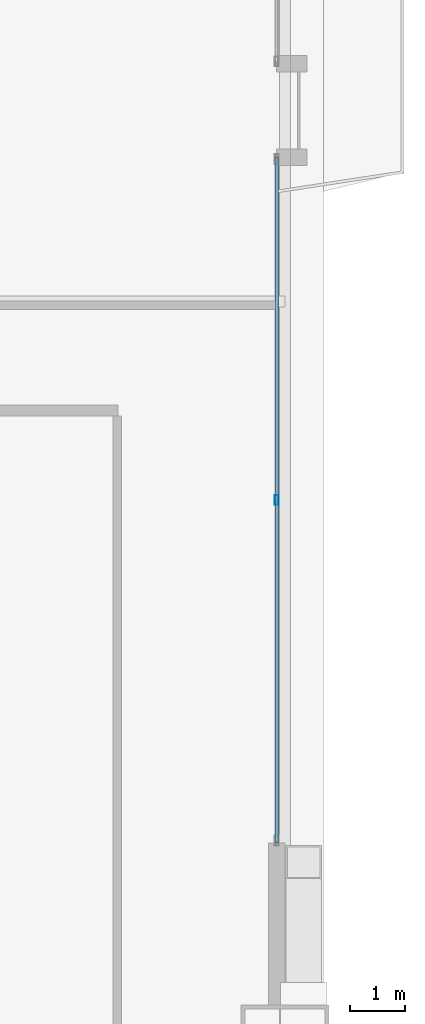
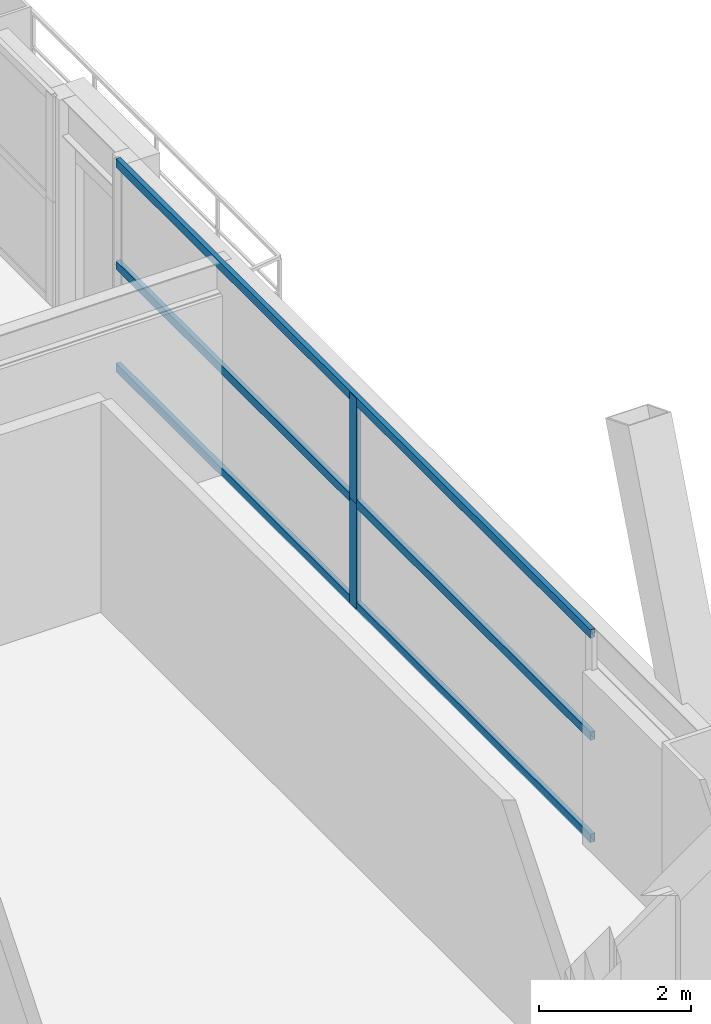
# One storey, part 20 of 43: 5 members, 1 element without a shape of its own.
"""IFC4 building model written with IfcOpenShell, lengths in metres."""

import ifcopenshell
import ifcopenshell.guid

model = None  # the IFC model being written
_history = None  # IfcOwnerHistory: only IFC2X3 demands one
_inside = {}  # id of a spatial element -> (the spatial element, [elements in it])
_under = {}  # id of a project, library or spatial element -> (it, [spatial elements below it])
_declared = {}  # id of a project -> (the project, [libraries it declares])
_typed = {}  # id of a type object -> (the type object, [elements of that type])
_made_of = {}  # id of a material, layer set ... -> (it, [elements and type objects made of it])


def new_model(schema):
    """Start an empty IFC model of exactly this schema.

    Asked for "IFC4X3", IfcOpenShell would pick the latest addendum, in which some entities
    have other attributes; the version numbers below select the first issue.
    IFC2X3 requires an IfcOwnerHistory on every rooted entity: one is made here for all.
    """
    global model, _history
    if schema == "IFC4X3":
        model = ifcopenshell.file(schema_version=(4, 3, 0, 0))
    else:
        model = ifcopenshell.file(schema=schema)
    _inside.clear()
    _under.clear()
    _declared.clear()
    _typed.clear()
    _made_of.clear()
    _history = None
    if model.schema == "IFC2X3":
        org = make("IfcOrganization", Name="unknown")
        user = make(
            "IfcPersonAndOrganization",
            ThePerson=make("IfcPerson", FamilyName="unknown"),
            TheOrganization=org,
        )
        app = make(
            "IfcApplication",
            ApplicationDeveloper=org,
            Version="unknown",
            ApplicationFullName="unknown",
            ApplicationIdentifier="unknown",
        )
        _history = make(
            "IfcOwnerHistory",
            OwningUser=user,
            OwningApplication=app,
            ChangeAction="ADDED",
            CreationDate=0,
        )
    return model


def make(cls, **values):
    """One entity of the class cls with the attributes given. An attribute that is None is left unset."""
    return model.create_entity(
        cls, **{name: value for name, value in values.items() if value is not None}
    )


def rooted(cls, **values):
    """An entity with a GlobalId (a new one), such as an element, a storey or a relation."""
    return make(cls, GlobalId=ifcopenshell.guid.new(), OwnerHistory=_history, **values)


def si_unit(unit_type, name, prefix=None):
    """IfcSIUnit, for example si_unit("LENGTHUNIT", "METRE", prefix="MILLI")."""
    return make("IfcSIUnit", UnitType=unit_type, Prefix=prefix, Name=name)


def assignment(units):
    """IfcUnitAssignment: the units of a project."""
    return None if units is None else make("IfcUnitAssignment", Units=units)


def point(xyz):
    """IfcCartesianPoint."""
    return None if xyz is None else make("IfcCartesianPoint", Coordinates=xyz)


def direction(xyz):
    """IfcDirection."""
    return None if xyz is None else make("IfcDirection", DirectionRatios=xyz)


def frame(location, z_axis=None, x_axis=None):
    """IfcAxis2Placement3D, a coordinate frame: its origin and axes. An axis left out is left unset."""
    return make(
        "IfcAxis2Placement3D",
        Location=point(location),
        Axis=direction(z_axis),
        RefDirection=direction(x_axis),
    )


def frame_2d(location, x_axis=None):
    """IfcAxis2Placement2D, a coordinate frame in the plane: its origin and x axis."""
    return make(
        "IfcAxis2Placement2D", Location=point(location), RefDirection=direction(x_axis)
    )


def origin():
    """The frame at (0, 0, 0) with its axes left unset."""
    return frame((0.0, 0.0, 0.0))


def origin_2d():
    """The frame at (0, 0) in the plane with its x axis left unset."""
    return frame_2d((0.0, 0.0))


def place(relative_to, where):
    """IfcLocalPlacement: puts the frame where relative to a parent placement (None: the world)."""
    return make(
        "IfcLocalPlacement", PlacementRelTo=relative_to, RelativePlacement=where
    )


def context(
    kind, dimensions, precision=None, world=None, true_north=None, identifier=None
):
    """IfcGeometricRepresentationContext, for example the 3D "Model" context."""
    return make(
        "IfcGeometricRepresentationContext",
        ContextIdentifier=identifier,
        ContextType=kind,
        CoordinateSpaceDimension=dimensions,
        Precision=precision,
        WorldCoordinateSystem=world,
        TrueNorth=true_north,
    )


def subcontext(parent, identifier, kind, view, scale=None):
    """IfcGeometricRepresentationSubContext, for example "Body" below "Model"."""
    return make(
        "IfcGeometricRepresentationSubContext",
        ContextIdentifier=identifier,
        ContextType=kind,
        ParentContext=parent,
        TargetScale=scale,
        TargetView=view,
    )


def project(units=None, contexts=None):
    """IfcProject with its units and contexts."""
    return rooted(
        "IfcProject",
        Name="project",
        RepresentationContexts=contexts,
        UnitsInContext=assignment(units),
    )


def spatial(cls, under=None, at=None, **own):
    """A site, building, storey or space (cls), placed at a placement, below another one or the project."""
    s = rooted(cls, ObjectPlacement=at, **own)
    if under is not None:
        _under.setdefault(under.id(), (under, []))[1].append(s)
    return s


def profile(cls, at=None, kind="AREA", **sizes):
    """A parametric profile (cls). Its sizes go by their IFC names, for example OverallWidth=200.0."""
    return make(cls, ProfileType=kind, Position=at, **sizes)


def hollow_rectangle(**sizes):
    """IfcRectangleHollowProfileDef."""
    return profile("IfcRectangleHollowProfileDef", **sizes)


def extrude(swept, where, along, depth):
    """IfcExtrudedAreaSolid: the profile swept, set in the frame where, extruded along a direction by depth."""
    return make(
        "IfcExtrudedAreaSolid",
        SweptArea=swept,
        Position=where,
        ExtrudedDirection=direction(along),
        Depth=depth,
    )


def shape(context_of_items, identifier, shape_type, items):
    """IfcShapeRepresentation: the items that make up one representation, for example the "Body"."""
    return make(
        "IfcShapeRepresentation",
        ContextOfItems=context_of_items,
        RepresentationIdentifier=identifier,
        RepresentationType=shape_type,
        Items=items,
    )


def source(mapping_origin, context_of_items, identifier, shape_type, items):
    """IfcRepresentationMap: a shape defined once, which mapped items show again and again."""
    return make(
        "IfcRepresentationMap",
        MappingOrigin=mapping_origin,
        MappedRepresentation=shape(context_of_items, identifier, shape_type, items),
    )


def transform(
    local_origin,
    x_axis=None,
    y_axis=None,
    z_axis=None,
    scale=None,
    scale2=None,
    scale3=None,
    uniform=True,
):
    """IfcCartesianTransformationOperator3D, or its non-uniform kind. x_axis, y_axis, z_axis: its Axis1, 2, 3."""
    if uniform:
        return make(
            "IfcCartesianTransformationOperator3D",
            Axis1=direction(x_axis),
            Axis2=direction(y_axis),
            LocalOrigin=point(local_origin),
            Scale=scale,
            Axis3=direction(z_axis),
        )
    return make(
        "IfcCartesianTransformationOperator3DnonUniform",
        Axis1=direction(x_axis),
        Axis2=direction(y_axis),
        LocalOrigin=point(local_origin),
        Scale=scale,
        Axis3=direction(z_axis),
        Scale2=scale2,
        Scale3=scale3,
    )


def mapped(mapping_source, mapping_target):
    """IfcMappedItem: shows the shape of a source again, moved by a transform."""
    return make(
        "IfcMappedItem", MappingSource=mapping_source, MappingTarget=mapping_target
    )


def material(Name=None, Category=None):
    """IfcMaterial."""
    return make("IfcMaterial", Name=Name, Category=Category)


def layer(
    of_material, thickness, ventilated=None, Name=None, Category=None, Priority=None
):
    """IfcMaterialLayer: one layer of a wall or slab, of a material (None: an air gap)."""
    return make(
        "IfcMaterialLayer",
        Material=of_material,
        LayerThickness=thickness,
        IsVentilated=ventilated,
        Name=Name,
        Category=Category,
        Priority=Priority,
    )


def layer_set(layers, Name=None):
    """IfcMaterialLayerSet."""
    return make("IfcMaterialLayerSet", MaterialLayers=layers, LayerSetName=Name)


def material_profile(
    of_material, cross_section, Name=None, Category=None, Priority=None
):
    """IfcMaterialProfile: a cross section and its material."""
    return make(
        "IfcMaterialProfile",
        Name=Name,
        Material=of_material,
        Profile=cross_section,
        Priority=Priority,
        Category=Category,
    )


def profile_set(profiles, Name=None, composite=None):
    """IfcMaterialProfileSet."""
    return make(
        "IfcMaterialProfileSet",
        Name=Name,
        MaterialProfiles=profiles,
        CompositeProfile=composite,
    )


def made_of(thing, what):
    """Note that an element or type object is made of a material, layer set ...; save() writes the relation."""
    if what is not None:
        _made_of.setdefault(what.id(), (what, []))[1].append(thing)
    return thing


def type_object(cls, material=None, **own):
    """A type object (cls), such as IfcWallType, which elements share."""
    return made_of(rooted(cls, **own), material)


def element(
    cls,
    number,
    at=None,
    inside=None,
    cuts=None,
    type_object=None,
    material=None,
    context=None,
    identifier="Body",
    shape_type=None,
    held_by="IfcProductDefinitionShape",
    body=None,
    shapes=None,
    **own,
):
    """One element of the class cls, such as IfcWall. Its Tag is "e" and its number.

    at: its placement. inside: the storey or other place that contains it. cuts: it is an
    opening in that element (IfcRelVoidsElement). A single representation is given by context,
    identifier, shape_type and body (its items); several are given by shapes. held_by: the class
    of the entity that holds the representations. save() writes the other relations.
    """
    e = rooted(cls, Tag="e%d" % number, ObjectPlacement=at, **own)
    if body is not None:
        shapes = [shape(context, identifier, shape_type, body)]
    if shapes is not None:
        e.Representation = make(held_by, Representations=shapes)
    if inside is not None:
        _inside.setdefault(inside.id(), (inside, []))[1].append(e)
    if cuts is not None:
        rooted(
            "IfcRelVoidsElement", RelatingBuildingElement=cuts, RelatedOpeningElement=e
        )
    if type_object is not None:
        _typed.setdefault(type_object.id(), (type_object, []))[1].append(e)
    return made_of(e, material)


def aggregate(whole, parts):
    """IfcRelAggregates: a whole, such as a stair, and the parts it consists of."""
    return rooted("IfcRelAggregates", RelatingObject=whole, RelatedObjects=parts)


def save(model, path):
    """Write the relations noted so far, then the file.

    IfcRelAggregates (storeys below a building ...), IfcRelContainedInSpatialStructure (elements
    in a storey), IfcRelDefinesByType, IfcRelAssociatesMaterial and IfcRelDeclares: one each for
    every whole, place, type object, material and project.
    """
    for whole, parts in _under.values():
        aggregate(whole, parts)
    for where, things in _inside.values():
        rooted(
            "IfcRelContainedInSpatialStructure",
            RelatedElements=things,
            RelatingStructure=where,
        )
    for kind, things in _typed.values():
        rooted("IfcRelDefinesByType", RelatedObjects=things, RelatingType=kind)
    for what, things in _made_of.values():
        rooted("IfcRelAssociatesMaterial", RelatedObjects=things, RelatingMaterial=what)
    for by, libraries in _declared.values():
        rooted("IfcRelDeclares", RelatingContext=by, RelatedDefinitions=libraries)
    model.write(path)


model = new_model("IFC4")

# Units and contexts
model_context = context("Model", 3, precision=1e-05, world=origin(), true_north=direction((0.0, 1.0)))
body_context = subcontext(model_context, "Body", "Model", "MODEL_VIEW")
ifc_project = project(units=[si_unit("LENGTHUNIT", "METRE"), si_unit("AREAUNIT", "SQUARE_METRE"), si_unit("VOLUMEUNIT", "CUBIC_METRE"), si_unit("PLANEANGLEUNIT", "RADIAN"), si_unit("MASSUNIT", "GRAM", prefix="KILO"), si_unit("THERMODYNAMICTEMPERATUREUNIT", "KELVIN"), si_unit("POWERUNIT", "WATT")], contexts=[model_context])

# Site, building, storey
site_placement = place(None, origin())
site = spatial("IfcSite", under=ifc_project, at=site_placement, CompositionType="ELEMENT")
building_placement = place(site_placement, origin())
building = spatial("IfcBuilding", under=site, at=building_placement, Name="Yuzanri Waterfront Tower", CompositionType="ELEMENT")
storey_placement = place(building_placement, frame((0.0, 0.0, 159.60009765625)))
storey = spatial("IfcBuildingStorey", under=building, at=storey_placement, Name="L42", CompositionType="ELEMENT", Elevation=159.60009765625)

# Curtain wall, members
ifc_material_1 = material(Name="Anodized Architectural Bronze", Category="metal")
ifc_layer = layer(ifc_material_1, 0.159912109375)
ifc_layer_set = layer_set([ifc_layer], Name="Anodized Architectural Bronze")
curtain_wall_type = type_object("IfcCurtainWallType", Name="Anodized Bronze Hotel Upper-Tier Solar-Control Unitized Curtain Wall 7800", PredefinedType="NOTDEFINED", material=ifc_layer_set)
curtain_wall_placement = place(storey_placement, origin())
curtain_wall = element("IfcCurtainWall", 1, at=curtain_wall_placement, inside=storey, type_object=curtain_wall_type, Name="L42 Curtain Wall CW-L42-EL1", PredefinedType="NOTDEFINED")
ifc_material_2 = material(Name="Anodized Architectural Bronze", Category="metal")
ifc_material_profile_1 = material_profile(ifc_material_2, hollow_rectangle(XDim=0.070068359375, YDim=0.179931640625, WallThickness=0.00390625, at=origin_2d()), Name="CWM 70x180")
ifc_profile_set_1 = profile_set([ifc_material_profile_1], Name="Anodized Architectural Bronze")
member_type_1 = type_object("IfcMemberType", Name="Anodized Bronze Standard Curtain-Wall Mullion 70x180", PredefinedType="MULLION", material=ifc_profile_set_1)
shared_shape_1 = source(origin(), body_context, "Body", "SweptSolid", [
    extrude(hollow_rectangle(XDim=0.070068359375, YDim=0.179931640625, WallThickness=0.00390625, at=origin_2d()), origin(), (0.0, 0.0, 1.0), 1.68798828125),
])
member_1_placement = place(storey_placement, frame((60.449951171875, 15.78759765625, 0.0), z_axis=(0.0, 0.0, 1.0), x_axis=(1.0, 0.0, 0.0)))
member_1 = element("IfcMember", 2, at=member_1_placement, type_object=member_type_1, Name="CW-L42-EL1 Lower Mullion 01", PredefinedType="MULLION", context=body_context, shape_type="MappedRepresentation", body=[
    mapped(shared_shape_1, transform((0.0, 0.0, 0.0), scale=1.0)),
])
member_2_placement = place(storey_placement, frame((60.449951171875, 15.78759765625, 1.69189453125), z_axis=(0.0, 0.0, 1.0), x_axis=(1.0, 0.0, 0.0)))
member_2 = element("IfcMember", 3, at=member_2_placement, type_object=member_type_1, Name="CW-L42-EL1 Upper Mullion 01", PredefinedType="MULLION", context=body_context, shape_type="MappedRepresentation", body=[
    mapped(shared_shape_1, transform((0.0, 0.0, 0.0), scale=1.0)),
])
ifc_material_3 = material(Name="Anodized Architectural Bronze", Category="metal")
ifc_material_profile_2 = material_profile(ifc_material_3, hollow_rectangle(XDim=0.070068359375, YDim=0.135009765625, WallThickness=0.00341796875, at=origin_2d()), Name="CWT 70x135")
ifc_profile_set_2 = profile_set([ifc_material_profile_2], Name="Anodized Architectural Bronze")
member_type_2 = type_object("IfcMemberType", Name="Anodized Bronze Standard Curtain-Wall Transom 70x135", PredefinedType="USERDEFINED", material=ifc_profile_set_2)
shared_shape_2 = source(origin(), body_context, "Body", "SweptSolid", [
    extrude(hollow_rectangle(XDim=0.070068359375, YDim=0.135009765625, WallThickness=0.00341796875, at=origin_2d()), origin(), (0.0, 0.0, 1.0), 12.474853515625),
])
member_3_placement = place(storey_placement, frame((60.449951171875, 9.550048828125, 0.0498046875), z_axis=(0.0, 1.0, 0.0), x_axis=(-1.0, 0.0, 0.0)))
member_3 = element("IfcMember", 4, at=member_3_placement, type_object=member_type_2, Name="CW-L42-EL1 Transom 1", ObjectType="TRANSOM", PredefinedType="USERDEFINED", context=body_context, shape_type="MappedRepresentation", body=[
    mapped(shared_shape_2, transform((0.0, 0.0, 0.0), scale=1.0)),
])
member_4_placement = place(storey_placement, frame((60.449951171875, 9.550048828125, 1.68994140625), z_axis=(0.0, 1.0, 0.0), x_axis=(-1.0, 0.0, 0.0)))
member_4 = element("IfcMember", 5, at=member_4_placement, type_object=member_type_2, Name="CW-L42-EL1 Transom 2", ObjectType="TRANSOM", PredefinedType="USERDEFINED", context=body_context, shape_type="MappedRepresentation", body=[
    mapped(shared_shape_2, transform((0.0, 0.0, 0.0), scale=1.0)),
])
member_5_placement = place(storey_placement, frame((60.449951171875, 9.550048828125, 3.329833984375), z_axis=(0.0, 1.0, 0.0), x_axis=(-1.0, 0.0, 0.0)))
member_5 = element("IfcMember", 6, at=member_5_placement, type_object=member_type_2, Name="CW-L42-EL1 Transom 3", ObjectType="TRANSOM", PredefinedType="USERDEFINED", context=body_context, shape_type="MappedRepresentation", body=[
    mapped(shared_shape_2, transform((0.0, 0.0, 0.0), scale=1.0)),
])
aggregate(curtain_wall, [member_1, member_2, member_3, member_4, member_5])

save(model, "model.ifc")
